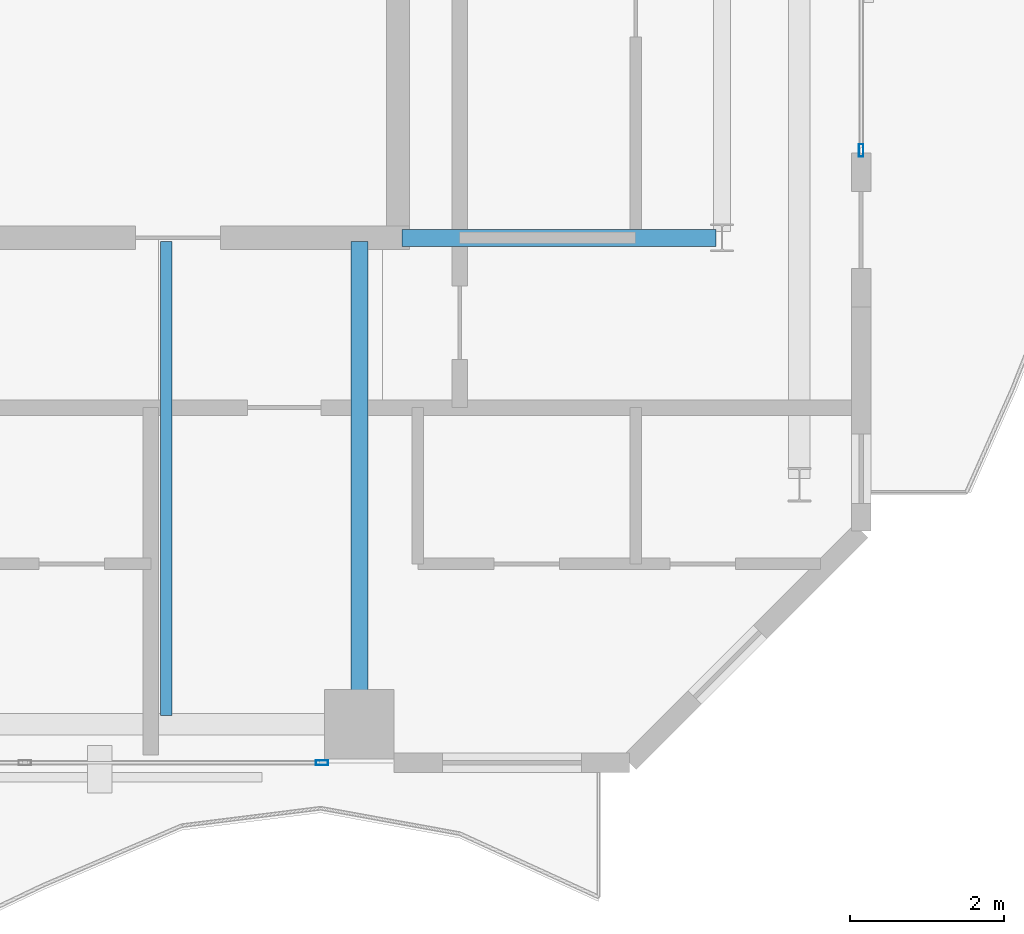
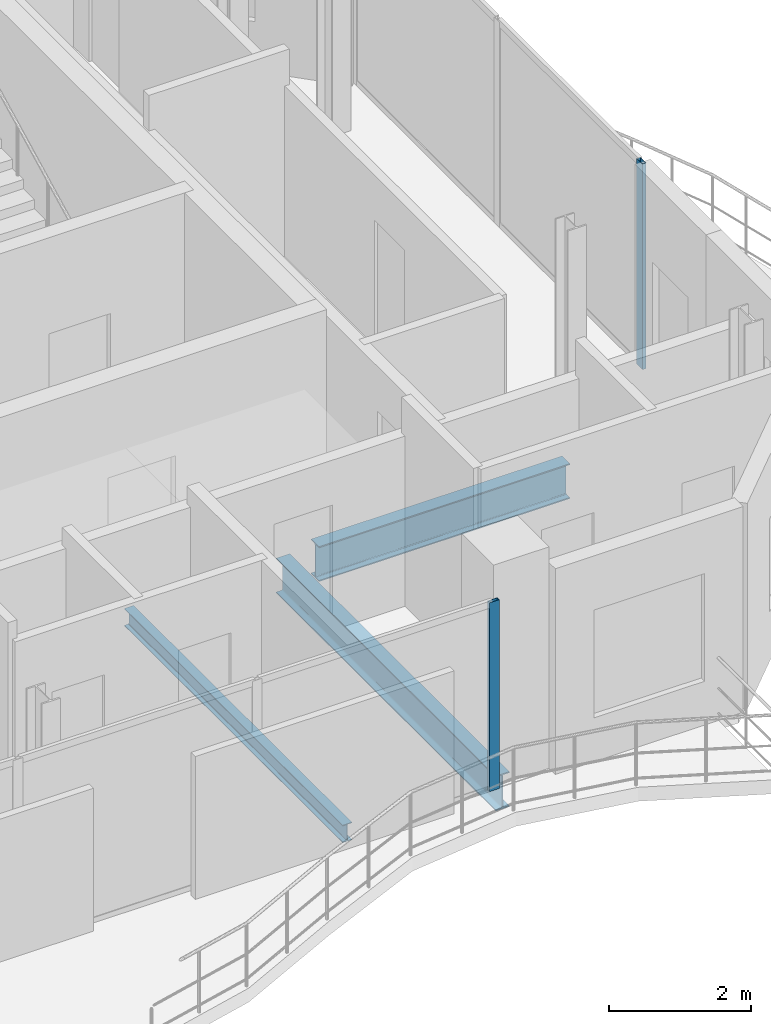
# One storey, part 14 of 22: 3 beams, 2 members, 2 elements without a shape of their own.
"""IFC4 building model written with IfcOpenShell, lengths in metres."""

from ifc_helpers import new_model, si_unit, direction, frame, origin, origin_2d, place, context, subcontext, project, spatial, hollow_rectangle, i_section, extrude, material, layer, layer_set, material_profile, profile_set, type_object, element, aggregate, save


model = new_model("IFC4")

# Units and contexts
model_context = context("Model", 3, precision=1e-05, world=origin(), true_north=direction((0.0, 1.0)))
body_context = subcontext(model_context, "Body", "Model", "MODEL_VIEW")
ifc_project = project(units=[si_unit("LENGTHUNIT", "METRE"), si_unit("AREAUNIT", "SQUARE_METRE"), si_unit("VOLUMEUNIT", "CUBIC_METRE"), si_unit("PLANEANGLEUNIT", "RADIAN"), si_unit("MASSUNIT", "GRAM", prefix="KILO")], contexts=[model_context])

# Site, building, storey
site_placement = place(None, origin())
site = spatial("IfcSite", under=ifc_project, at=site_placement, CompositionType="ELEMENT")
building_placement = place(site_placement, origin())
building = spatial("IfcBuilding", under=site, at=building_placement, Name="Catumbela Crestline Tower", CompositionType="ELEMENT")
storey_placement = place(building_placement, frame((0.0, 0.0, 229.8)))
storey = spatial("IfcBuildingStorey", under=building, at=storey_placement, Name="L59", CompositionType="ELEMENT", Elevation=229.8)

# Beams
ifc_material_1 = material(Name="Structural steel S355J2", Category="steel")
ifc_material_profile_1 = material_profile(ifc_material_1, i_section(OverallWidth=0.22, OverallDepth=0.6, WebThickness=0.012, FlangeThickness=0.019, FilletRadius=0.024, at=origin_2d()), Name="IPE 600")
ifc_profile_set_1 = profile_set([ifc_material_profile_1], Name="Structural steel S355J2")
beam_type_1 = type_object("IfcBeamType", Name="BG-IPE600", PredefinedType="BEAM", material=ifc_profile_set_1)
beam_1_placement = place(storey_placement, frame((40.05, 30.8, -0.56), z_axis=(1.0, 0.0, 0.0), x_axis=(0.0, 1.0, 0.0)))
element("IfcBeam", 1, at=beam_1_placement, inside=storey, type_object=beam_type_1, Name="L59 Beam BM-L59-M08", PredefinedType="BEAM", context=body_context, shape_type="SweptSolid", body=[
    extrude(i_section(OverallWidth=0.22, OverallDepth=0.6, WebThickness=0.012, FlangeThickness=0.019, FilletRadius=0.024, at=origin_2d()), origin(), (0.0, 0.0, 1.0), 4.07),
])
beam_2_placement = place(storey_placement, frame((39.5, 24.58, -0.56), z_axis=(0.0, 1.0, 0.0), x_axis=(-1.0, 0.0, 0.0)))
element("IfcBeam", 2, at=beam_2_placement, inside=storey, type_object=beam_type_1, Name="L59 Beam BM-L59-SNS18", PredefinedType="BEAM", context=body_context, shape_type="SweptSolid", body=[
    extrude(i_section(OverallWidth=0.22, OverallDepth=0.6, WebThickness=0.012, FlangeThickness=0.019, FilletRadius=0.024, at=origin_2d()), origin(), (0.0, 0.0, 1.0), 6.17),
])
ifc_material_profile_2 = material_profile(ifc_material_1, i_section(OverallWidth=0.15, OverallDepth=0.3, WebThickness=0.0071, FlangeThickness=0.0107, FilletRadius=0.015, at=origin_2d()), Name="IPE 300")
ifc_profile_set_2 = profile_set([ifc_material_profile_2], Name="Structural steel S355J2")
beam_type_2 = type_object("IfcBeamType", Name="BJ-IPE300", PredefinedType="JOIST", material=ifc_profile_set_2)
beam_3_placement = place(storey_placement, frame((37.0, 24.61, -0.41), z_axis=(0.0, 1.0, 0.0), x_axis=(-1.0, 0.0, 0.0)))
element("IfcBeam", 3, at=beam_3_placement, inside=storey, type_object=beam_type_2, Name="L59 Joist JS-L59-SP26", PredefinedType="JOIST", context=body_context, shape_type="SweptSolid", body=[
    extrude(i_section(OverallWidth=0.15, OverallDepth=0.3, WebThickness=0.0071, FlangeThickness=0.0107, FilletRadius=0.015, at=origin_2d()), origin(), (0.0, 0.0, 1.0), 6.14),
])

# Curtain wall, member
ifc_material_2 = material(Name="Aluminium alloy AW-6060-T66", Category="aluminium")
ifc_layer = layer(ifc_material_2, 0.18, Name="Aluminium alloy AW-6060-T66")
ifc_layer_set = layer_set([ifc_layer], Name="Aluminium alloy AW-6060-T66")
curtain_wall_type = type_object("IfcCurtainWallType", Name="CWU-Z4", PredefinedType="USERDEFINED", material=ifc_layer_set)
curtain_wall_1_placement = place(storey_placement, origin())
curtain_wall_1 = element("IfcCurtainWall", 4, at=curtain_wall_1_placement, inside=storey, type_object=curtain_wall_type, Name="L59 Unitised Curtain Wall CW-L59-E3S2", ObjectType="UNITISED", PredefinedType="USERDEFINED")
ifc_material_profile_3 = material_profile(ifc_material_2, hollow_rectangle(XDim=0.06, YDim=0.16, WallThickness=0.004, at=origin_2d()), Name="ALU 160x60x4")
ifc_profile_set_3 = profile_set([ifc_material_profile_3], Name="Aluminium alloy AW-6060-T66")
member_type = type_object("IfcMemberType", Name="MUL-160X60", PredefinedType="MULLION", material=ifc_profile_set_3)
member_1_placement = place(storey_placement, frame((39.0175, 24.0, 0.0), z_axis=(0.0, 0.0, 1.0), x_axis=(0.0, 1.0, 0.0)))
member_1 = element("IfcMember", 5, at=member_1_placement, type_object=member_type, Name="CWU-Z4 mullion 4", PredefinedType="MULLION", context=body_context, shape_type="SweptSolid", body=[
    extrude(hollow_rectangle(XDim=0.06, YDim=0.16, WallThickness=0.004, at=origin_2d()), origin(), (0.0, 0.0, 1.0), 3.24),
])
aggregate(curtain_wall_1, [member_1])

curtain_wall_2_placement = place(storey_placement, origin())
curtain_wall_2 = element("IfcCurtainWall", 6, at=curtain_wall_2_placement, inside=storey, type_object=curtain_wall_type, Name="L59 Unitised Curtain Wall CW-L59-E5S2", ObjectType="UNITISED", PredefinedType="USERDEFINED")
member_2_placement = place(storey_placement, frame((46.0, 31.9325, 0.0), z_axis=(0.0, 0.0, 1.0), x_axis=(-1.0, 0.0, 0.0)))
member_2 = element("IfcMember", 7, at=member_2_placement, type_object=member_type, Name="CWU-Z4 mullion 1", PredefinedType="MULLION", context=body_context, shape_type="SweptSolid", body=[
    extrude(hollow_rectangle(XDim=0.06, YDim=0.16, WallThickness=0.004, at=origin_2d()), origin(), (0.0, 0.0, 1.0), 3.53),
])
aggregate(curtain_wall_2, [member_2])

save(model, "model.ifc")
